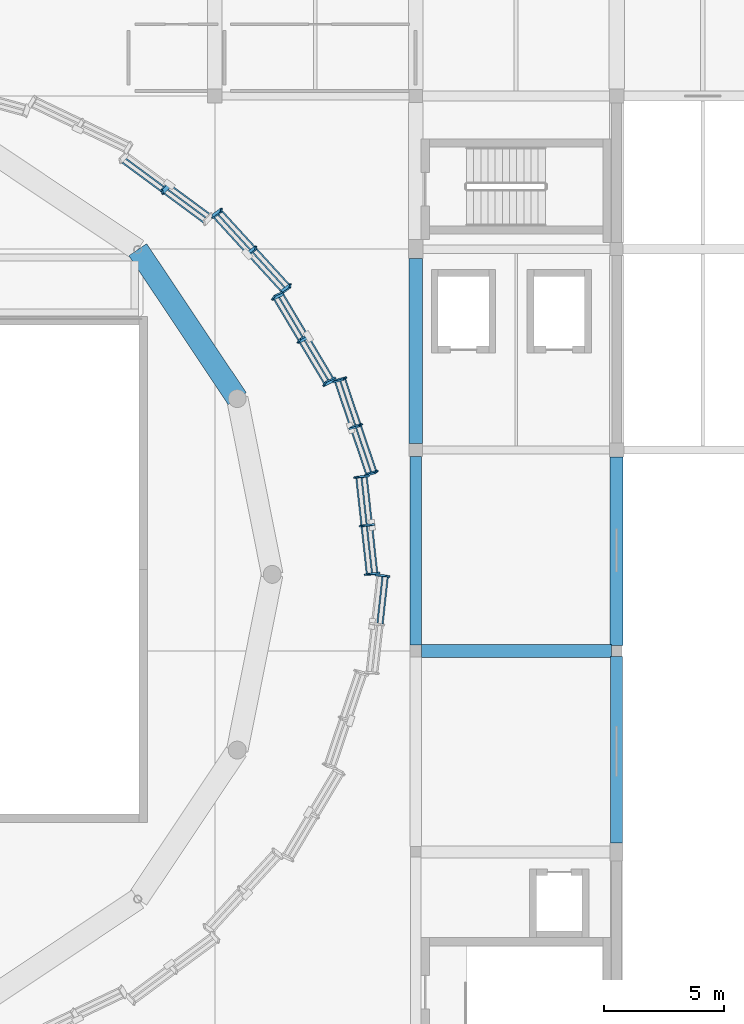
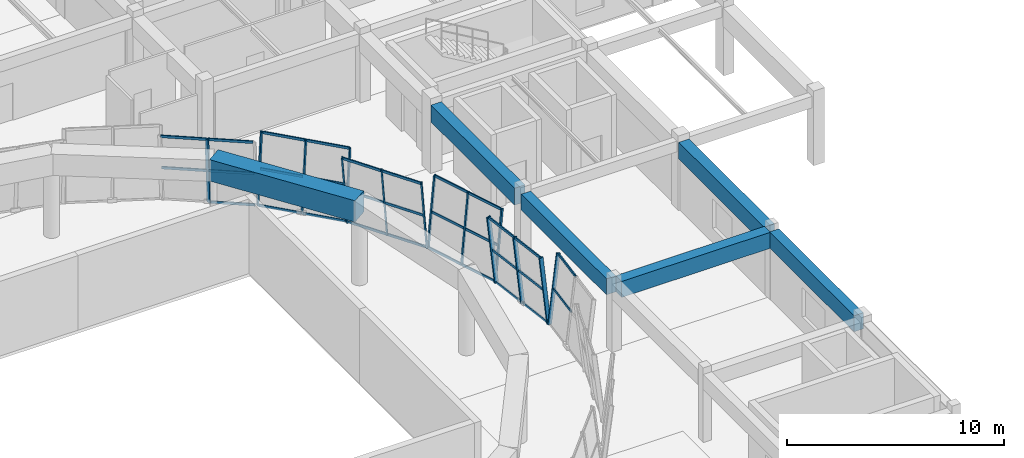
# One storey, part 20 of 40: 45 members, 6 beams, 6 elements without a shape of their own.
"""IFC4 building model written with IfcOpenShell, lengths in metres."""

from ifc_helpers import new_model, si_unit, direction, frame, origin, origin_2d, place, context, subcontext, project, spatial, rectangle, hollow_rectangle, extrude, material, material_profile, profile_set, type_object, element, aggregate, save


model = new_model("IFC4")

# Units and contexts
model_context = context("Model", 3, precision=1e-05, world=origin(), true_north=direction((0.0, 1.0)))
body_context = subcontext(model_context, "Body", "Model", "MODEL_VIEW")
ifc_project = project(units=[si_unit("LENGTHUNIT", "METRE"), si_unit("AREAUNIT", "SQUARE_METRE"), si_unit("VOLUMEUNIT", "CUBIC_METRE"), si_unit("PLANEANGLEUNIT", "RADIAN"), si_unit("MASSUNIT", "GRAM", prefix="KILO")], contexts=[model_context])

# Site, building, storey
site_placement = place(None, origin())
site = spatial("IfcSite", under=ifc_project, at=site_placement, CompositionType="ELEMENT")
building_placement = place(site_placement, origin())
building = spatial("IfcBuilding", under=site, at=building_placement, Name="Korsvaeld Concert Hall", CompositionType="ELEMENT")
storey_placement = place(building_placement, frame((0.0, 0.0, 13.199951171875)))
storey = spatial("IfcBuildingStorey", under=building, at=storey_placement, Name="L03", CompositionType="ELEMENT", Elevation=13.199951171875)

# Beams
ifc_material_1 = material(Name="Concrete C40/50", Category="concrete")
ifc_material_profile_1 = material_profile(ifc_material_1, rectangle(XDim=0.5, YDim=0.89990234375, at=origin_2d()), Name="RC 500x900")
ifc_profile_set_1 = profile_set([ifc_material_profile_1], Name="Concrete C40/50")
beam_type_1 = type_object("IfcBeamType", Name="BM-RC-500x900", PredefinedType="T_BEAM", material=ifc_profile_set_1)
beam_1_placement = place(storey_placement, frame((109.199951171875, 60.25, 3.39013671875), z_axis=(0.0, 1.0, 0.0), x_axis=(-1.0, 0.0, 0.0)))
element("IfcBeam", 1, at=beam_1_placement, inside=storey, type_object=beam_type_1, Name="Primary girder 15/J-K L03", PredefinedType="T_BEAM", context=body_context, shape_type="SweptSolid", body=[
    extrude(rectangle(XDim=0.5, YDim=0.89990234375, at=origin_2d()), origin(), (0.0, 0.0, 1.0), 7.875),
])
beam_2_placement = place(storey_placement, frame((117.60009765625, 51.97509765625, 3.39013671875), z_axis=(0.0, 1.0, 0.0), x_axis=(-1.0, 0.0, 0.0)))
element("IfcBeam", 2, at=beam_2_placement, inside=storey, type_object=beam_type_1, Name="Primary girder 16/H-J L03", PredefinedType="T_BEAM", context=body_context, shape_type="SweptSolid", body=[
    extrude(rectangle(XDim=0.5, YDim=0.89990234375, at=origin_2d()), origin(), (0.0, 0.0, 1.0), 7.7998046875),
])
ifc_material_profile_2 = material_profile(ifc_material_1, rectangle(XDim=0.550048828125, YDim=0.89990234375, at=origin_2d()), Name="RC 550x900")
ifc_profile_set_2 = profile_set([ifc_material_profile_2], Name="Concrete C40/50")
beam_type_2 = type_object("IfcBeamType", Name="BM-RC-550x900", PredefinedType="T_BEAM", material=ifc_profile_set_2)
beam_3_placement = place(storey_placement, frame((109.449951171875, 60.0, 3.39013671875), z_axis=(1.0, 0.0, 0.0), x_axis=(0.0, 1.0, 0.0)))
element("IfcBeam", 3, at=beam_3_placement, inside=storey, type_object=beam_type_2, Name="Primary girder 15-16/J L03", PredefinedType="T_BEAM", context=body_context, shape_type="SweptSolid", body=[
    extrude(rectangle(XDim=0.550048828125, YDim=0.89990234375, at=origin_2d()), origin(), (0.0, 0.0, 1.0), 7.925048828125),
])
ifc_material_profile_3 = material_profile(ifc_material_1, rectangle(XDim=0.550048828125, YDim=0.949951171875, at=origin_2d()), Name="RC 550x950")
ifc_profile_set_3 = profile_set([ifc_material_profile_3], Name="Concrete C40/50")
beam_type_3 = type_object("IfcBeamType", Name="BM-RC-550x950", PredefinedType="T_BEAM", material=ifc_profile_set_3)
beam_4_placement = place(storey_placement, frame((109.199951171875, 68.675048828125, 3.364990234375), z_axis=(0.0, 1.0, 0.0), x_axis=(-1.0, 0.0, 0.0)))
element("IfcBeam", 4, at=beam_4_placement, inside=storey, type_object=beam_type_3, Name="Primary girder 15/K-L L03", PredefinedType="T_BEAM", context=body_context, shape_type="SweptSolid", body=[
    extrude(rectangle(XDim=0.550048828125, YDim=0.949951171875, at=origin_2d()), origin(), (0.0, 0.0, 1.0), 7.724853515625),
])
beam_5_placement = place(storey_placement, frame((117.60009765625, 60.22509765625, 3.364990234375), z_axis=(0.0, 1.0, 0.0), x_axis=(-1.0, 0.0, 0.0)))
element("IfcBeam", 5, at=beam_5_placement, inside=storey, type_object=beam_type_3, Name="Primary girder 16/J-K L03", PredefinedType="T_BEAM", context=body_context, shape_type="SweptSolid", body=[
    extrude(rectangle(XDim=0.550048828125, YDim=0.949951171875, at=origin_2d()), origin(), (0.0, 0.0, 1.0), 7.875),
])
ifc_material_profile_4 = material_profile(ifc_material_1, rectangle(XDim=0.89990234375, YDim=1.199951171875, at=origin_2d()), Name="RC 900x1200")
ifc_profile_set_4 = profile_set([ifc_material_profile_4], Name="Concrete C40/50")
beam_type_4 = type_object("IfcBeamType", Name="BM-RING-RC900x1200", PredefinedType="USERDEFINED", material=ifc_profile_set_4)
beam_6_placement = place(storey_placement, frame((101.738525390625, 70.547607421875, 4.199951171875), z_axis=(-0.555572265942, 0.831468253944, 0.0), x_axis=(-0.831468253944, -0.555572265942, 0.0)))
element("IfcBeam", 6, at=beam_6_placement, inside=storey, type_object=beam_type_4, Name="Main Hall C40/50 drum ring beam segment 02", ObjectType="RING BEAM", PredefinedType="USERDEFINED", context=body_context, shape_type="SweptSolid", body=[
    extrude(rectangle(XDim=0.89990234375, YDim=1.199951171875, at=origin_2d()), origin(), (0.0, 0.0, 1.0), 7.491455078125),
])

# Curtain wall, members
ifc_material_2 = material(Name="Anodised bronze and ceramic-fritted safety glass", Category="glass")
curtain_wall_type_1 = type_object("IfcCurtainWallType", Name="CW-TYPE-02", PredefinedType="USERDEFINED", material=ifc_material_2)
curtain_wall_1_placement = place(storey_placement, origin())
curtain_wall_1 = element("IfcCurtainWall", 7, at=curtain_wall_1_placement, inside=storey, type_object=curtain_wall_type_1, Name="Crystal curtain-wall facet L03 F02", ObjectType="CURTAIN WALL", PredefinedType="USERDEFINED")
ifc_material_3 = material(Name="Anodised architectural bronze aluminium", Category="aluminium")
ifc_material_profile_5 = material_profile(ifc_material_3, hollow_rectangle(XDim=0.074951171875, YDim=0.179931640625, WallThickness=0.0048828125, at=origin_2d()), Name="CWM 180x75x5")
ifc_profile_set_5 = profile_set([ifc_material_profile_5], Name="Anodised architectural bronze aluminium")
member_type_1 = type_object("IfcMemberType", Name="CWM-BRONZE-180x75", PredefinedType="MULLION", material=ifc_profile_set_5)
member_1_placement = place(storey_placement, frame((107.134521484375, 67.371337890625, 0.0), z_axis=(0.109216080383, 0.029757787214, 0.993572504594), x_axis=(0.555751717741, -0.83055918565, -0.036214187285)))
member_1 = element("IfcMember", 8, at=member_1_placement, type_object=member_type_1, Name="CW-CRYS-L03-F02 crystal mullion 1", PredefinedType="MULLION", context=body_context, shape_type="SweptSolid", body=[
    extrude(hollow_rectangle(XDim=0.074951171875, YDim=0.179931640625, WallThickness=0.0048828125, at=origin_2d()), origin(), (0.0, 0.0, 1.0), 3.9052734375),
])
member_2_placement = place(storey_placement, frame((106.47509765625, 69.324462890625, 0.0), z_axis=(0.109216080383, 0.029757787214, 0.993572504594), x_axis=(0.555751717741, -0.83055918565, -0.036214187285)))
member_2 = element("IfcMember", 9, at=member_2_placement, type_object=member_type_1, Name="CW-CRYS-L03-F02 crystal mullion 2", PredefinedType="MULLION", context=body_context, shape_type="SweptSolid", body=[
    extrude(hollow_rectangle(XDim=0.074951171875, YDim=0.179931640625, WallThickness=0.0048828125, at=origin_2d()), origin(), (0.0, 0.0, 1.0), 3.9052734375),
])
member_3_placement = place(storey_placement, frame((105.815673828125, 71.27734375, 0.0), z_axis=(0.109216080383, 0.029757787214, 0.993572504594), x_axis=(0.555751717741, -0.83055918565, -0.036214187285)))
member_3 = element("IfcMember", 10, at=member_3_placement, type_object=member_type_1, Name="CW-CRYS-L03-F02 crystal mullion 3", PredefinedType="MULLION", context=body_context, shape_type="SweptSolid", body=[
    extrude(hollow_rectangle(XDim=0.074951171875, YDim=0.179931640625, WallThickness=0.0048828125, at=origin_2d()), origin(), (0.0, 0.0, 1.0), 3.9052734375),
])

curtain_wall_type_2 = type_object("IfcCurtainWallType", Name="CW-TYPE-04", PredefinedType="USERDEFINED", material=ifc_material_2)
curtain_wall_2_placement = place(storey_placement, origin())
curtain_wall_2 = element("IfcCurtainWall", 11, at=curtain_wall_2_placement, inside=storey, type_object=curtain_wall_type_2, Name="Crystal curtain-wall facet L03 F04", ObjectType="CURTAIN WALL", PredefinedType="USERDEFINED")
member_4_placement = place(storey_placement, frame((103.597412109375, 75.005859375, 0.0), z_axis=(0.091086738346, 0.067142866838, 0.993576892611), x_axis=(0.97750040667, -0.196640579934, -0.076324552298)))
member_4 = element("IfcMember", 12, at=member_4_placement, type_object=member_type_1, Name="CW-CRYS-L03-F04 crystal mullion 1", PredefinedType="MULLION", context=body_context, shape_type="SweptSolid", body=[
    extrude(hollow_rectangle(XDim=0.074951171875, YDim=0.179931640625, WallThickness=0.0048828125, at=origin_2d()), origin(), (0.0, 0.0, 1.0), 3.9052734375),
])
member_5_placement = place(storey_placement, frame((102.1552734375, 76.58447265625, 0.0), z_axis=(0.091086738346, 0.067142866838, 0.993576892611), x_axis=(0.97750040667, -0.196640579934, -0.076324552298)))
member_5 = element("IfcMember", 13, at=member_5_placement, type_object=member_type_1, Name="CW-CRYS-L03-F04 crystal mullion 2", PredefinedType="MULLION", context=body_context, shape_type="SweptSolid", body=[
    extrude(hollow_rectangle(XDim=0.074951171875, YDim=0.179931640625, WallThickness=0.0048828125, at=origin_2d()), origin(), (0.0, 0.0, 1.0), 3.9052734375),
])
member_6_placement = place(storey_placement, frame((100.712890625, 78.1630859375, 0.0), z_axis=(0.091148735765, 0.06714248437, 0.993571232857), x_axis=(0.977432849257, -0.196963121799, -0.076358063387)))
member_6 = element("IfcMember", 14, at=member_6_placement, type_object=member_type_1, Name="CW-CRYS-L03-F04 crystal mullion 3", PredefinedType="MULLION", context=body_context, shape_type="SweptSolid", body=[
    extrude(hollow_rectangle(XDim=0.074951171875, YDim=0.179931640625, WallThickness=0.0048828125, at=origin_2d()), origin(), (0.0, 0.0, 1.0), 3.9052734375),
])

# Curtain wall, member
curtain_wall_type_3 = type_object("IfcCurtainWallType", Name="CW-TYPE-08", PredefinedType="USERDEFINED", material=ifc_material_2)
curtain_wall_3_placement = place(storey_placement, origin())
curtain_wall_3 = element("IfcCurtainWall", 15, at=curtain_wall_3_placement, inside=storey, type_object=curtain_wall_type_3, Name="Crystal curtain-wall facet L03 F32", ObjectType="CURTAIN WALL", PredefinedType="USERDEFINED")
member_7_placement = place(storey_placement, frame((107.595947265625, 63.162841796875, 0.0), z_axis=(0.112779197512, -0.01000258958, 0.993569726195), x_axis=(-0.195690716426, -0.980588011718, 0.012340777107)))
member_7 = element("IfcMember", 16, at=member_7_placement, type_object=member_type_1, Name="CW-CRYS-L03-F32 crystal mullion 3", PredefinedType="MULLION", context=body_context, shape_type="SweptSolid", body=[
    extrude(hollow_rectangle(XDim=0.074951171875, YDim=0.179931640625, WallThickness=0.0048828125, at=origin_2d()), origin(), (0.0, 0.0, 1.0), 3.9052734375),
])

# Curtain wall, members
curtain_wall_type_4 = type_object("IfcCurtainWallType", Name="CW-TYPE-01", PredefinedType="USERDEFINED", material=ifc_material_2)
curtain_wall_4_placement = place(storey_placement, origin())
curtain_wall_4 = element("IfcCurtainWall", 17, at=curtain_wall_4_placement, inside=storey, type_object=curtain_wall_type_4, Name="Crystal curtain-wall facet L03 F01", ObjectType="CURTAIN WALL", PredefinedType="USERDEFINED")
ifc_material_profile_6 = material_profile(ifc_material_3, hollow_rectangle(XDim=0.074951171875, YDim=0.219970703125, WallThickness=0.006103515625, at=origin_2d()), Name="CWM 220x75x6")
ifc_profile_set_6 = profile_set([ifc_material_profile_6], Name="Anodised architectural bronze aluminium")
member_type_2 = type_object("IfcMemberType", Name="CWM-BRONZE-220x75", PredefinedType="MULLION", material=ifc_profile_set_6)
member_8_placement = place(storey_placement, frame((107.595947265625, 63.2373046875, 0.0), z_axis=(-0.112779197512, -0.01000258958, 0.993569726195), x_axis=(-0.195690716426, 0.980588011718, -0.012340777107)))
member_8 = element("IfcMember", 18, at=member_8_placement, type_object=member_type_2, Name="CW-CRYS-L03-F01 crystal mullion 1", PredefinedType="MULLION", context=body_context, shape_type="SweptSolid", body=[
    extrude(hollow_rectangle(XDim=0.074951171875, YDim=0.219970703125, WallThickness=0.006103515625, at=origin_2d()), origin(), (0.0, 0.0, 1.0), 3.9052734375),
])
member_9_placement = place(storey_placement, frame((107.373291015625, 65.26806640625, 0.0), z_axis=(-0.112779197512, -0.01000258958, 0.993569726195), x_axis=(-0.195690716426, 0.980588011718, -0.012340777107)))
member_9 = element("IfcMember", 19, at=member_9_placement, type_object=member_type_2, Name="CW-CRYS-L03-F01 crystal mullion 2", PredefinedType="MULLION", context=body_context, shape_type="SweptSolid", body=[
    extrude(hollow_rectangle(XDim=0.074951171875, YDim=0.219970703125, WallThickness=0.006103515625, at=origin_2d()), origin(), (0.0, 0.0, 1.0), 3.9052734375),
])
member_10_placement = place(storey_placement, frame((107.150634765625, 67.298583984375, 0.0), z_axis=(-0.112779267815, -0.009940079591, 0.993570345556), x_axis=(-0.19515140707, 0.980695492067, -0.01234018468)))
member_10 = element("IfcMember", 20, at=member_10_placement, type_object=member_type_2, Name="CW-CRYS-L03-F01 crystal mullion 3", PredefinedType="MULLION", context=body_context, shape_type="SweptSolid", body=[
    extrude(hollow_rectangle(XDim=0.074951171875, YDim=0.219970703125, WallThickness=0.006103515625, at=origin_2d()), origin(), (0.0, 0.0, 1.0), 3.9052734375),
])

curtain_wall_type_5 = type_object("IfcCurtainWallType", Name="CW-TYPE-03", PredefinedType="USERDEFINED", material=ifc_material_2)
curtain_wall_5_placement = place(storey_placement, origin())
curtain_wall_5 = element("IfcCurtainWall", 21, at=curtain_wall_5_placement, inside=storey, type_object=curtain_wall_type_5, Name="Crystal curtain-wall facet L03 F03", ObjectType="CURTAIN WALL", PredefinedType="USERDEFINED")
member_11_placement = place(storey_placement, frame((105.784423828125, 71.34521484375, 0.0), z_axis=(-0.102026799703, -0.049012874367, 0.993573485097), x_axis=(-0.830085935221, 0.554623592574, -0.057879277021)))
member_11 = element("IfcMember", 22, at=member_11_placement, type_object=member_type_2, Name="CW-CRYS-L03-F03 crystal mullion 1", PredefinedType="MULLION", context=body_context, shape_type="SweptSolid", body=[
    extrude(hollow_rectangle(XDim=0.074951171875, YDim=0.219970703125, WallThickness=0.006103515625, at=origin_2d()), origin(), (0.0, 0.0, 1.0), 3.9052734375),
])
member_12_placement = place(storey_placement, frame((104.713134765625, 73.1455078125, 0.0), z_axis=(-0.102026799703, -0.049012874367, 0.993573485097), x_axis=(-0.830085935221, 0.554623592574, -0.057879277021)))
member_12 = element("IfcMember", 23, at=member_12_placement, type_object=member_type_2, Name="CW-CRYS-L03-F03 crystal mullion 2", PredefinedType="MULLION", context=body_context, shape_type="SweptSolid", body=[
    extrude(hollow_rectangle(XDim=0.074951171875, YDim=0.219970703125, WallThickness=0.006103515625, at=origin_2d()), origin(), (0.0, 0.0, 1.0), 3.9052734375),
])
member_13_placement = place(storey_placement, frame((103.641845703125, 74.94580078125, 0.0), z_axis=(-0.102027112126, -0.04895050784, 0.993576527588), x_axis=(-0.829811048286, 0.55503620991, -0.057865618728)))
member_13 = element("IfcMember", 24, at=member_13_placement, type_object=member_type_2, Name="CW-CRYS-L03-F03 crystal mullion 3", PredefinedType="MULLION", context=body_context, shape_type="SweptSolid", body=[
    extrude(hollow_rectangle(XDim=0.074951171875, YDim=0.219970703125, WallThickness=0.006103515625, at=origin_2d()), origin(), (0.0, 0.0, 1.0), 3.9052734375),
])

# Curtain wall, member
curtain_wall_type_6 = type_object("IfcCurtainWallType", Name="CW-TYPE-05", PredefinedType="USERDEFINED", material=ifc_material_2)
curtain_wall_6_placement = place(storey_placement, origin())
curtain_wall_6 = element("IfcCurtainWall", 25, at=curtain_wall_6_placement, inside=storey, type_object=curtain_wall_type_6, Name="Crystal curtain-wall facet L03 F05", ObjectType="CURTAIN WALL", PredefinedType="USERDEFINED")
member_14_placement = place(storey_placement, frame((98.899658203125, 79.509033203125, 0.0), z_axis=(-0.076394652963, -0.083584002465, 0.993568101104), x_axis=(-0.977549926724, -0.189970662094, -0.09114432679)))
member_14 = element("IfcMember", 26, at=member_14_placement, type_object=member_type_2, Name="CW-CRYS-L03-F05 crystal mullion 2", PredefinedType="MULLION", context=body_context, shape_type="SweptSolid", body=[
    extrude(hollow_rectangle(XDim=0.074951171875, YDim=0.219970703125, WallThickness=0.006103515625, at=origin_2d()), origin(), (0.0, 0.0, 1.0), 3.9052734375),
])

# Member
ifc_material_profile_7 = material_profile(ifc_material_3, hollow_rectangle(XDim=0.06005859375, YDim=0.139892578125, WallThickness=0.00390625, at=origin_2d()), Name="CWT 140x60x4")
ifc_profile_set_7 = profile_set([ifc_material_profile_7], Name="Anodised architectural bronze aluminium")
member_type_3 = type_object("IfcMemberType", Name="CWT-BRONZE-140x60", PredefinedType="USERDEFINED", material=ifc_profile_set_7)
member_15_placement = place(storey_placement, frame((107.58837890625, 63.274169921875, 0.030029296875), z_axis=(-0.108920048755, 0.994050513294, 0.0), x_axis=(-0.994050513294, -0.108920048755, 0.0)))
member_15 = element("IfcMember", 27, at=member_15_placement, type_object=member_type_3, Name="CW-CRYS-L03-F01 crystal transom 1.1", ObjectType="TRANSOM", PredefinedType="USERDEFINED", context=body_context, shape_type="SweptSolid", body=[
    extrude(hollow_rectangle(XDim=0.06005859375, YDim=0.139892578125, WallThickness=0.00390625, at=origin_2d()), origin(), (0.0, 0.0, 1.0), 1.968017578125),
])

member_16_placement = place(storey_placement, frame((107.37158203125, 63.255126953125, 1.93994140625), z_axis=(-0.108933482058, 0.994049041289, 0.0), x_axis=(-0.994049041289, -0.108933482058, 0.0)))
member_16 = element("IfcMember", 28, at=member_16_placement, type_object=member_type_3, Name="CW-CRYS-L03-F01 crystal transom 1.2", ObjectType="TRANSOM", PredefinedType="USERDEFINED", context=body_context, shape_type="SweptSolid", body=[
    extrude(hollow_rectangle(XDim=0.06005859375, YDim=0.139892578125, WallThickness=0.00390625, at=origin_2d()), origin(), (0.0, 0.0, 1.0), 1.9677734375),
])

member_17_placement = place(storey_placement, frame((107.15478515625, 63.23583984375, 3.85009765625), z_axis=(-0.108933482058, 0.994049041289, 0.0), x_axis=(-0.994049041289, -0.108933482058, 0.0)))
member_17 = element("IfcMember", 29, at=member_17_placement, type_object=member_type_3, Name="CW-CRYS-L03-F01 crystal transom 1.3", ObjectType="TRANSOM", PredefinedType="USERDEFINED", context=body_context, shape_type="SweptSolid", body=[
    extrude(hollow_rectangle(XDim=0.06005859375, YDim=0.139892578125, WallThickness=0.00390625, at=origin_2d()), origin(), (0.0, 0.0, 1.0), 1.9677734375),
])

member_18_placement = place(storey_placement, frame((107.36572265625, 65.304931640625, 0.030029296875), z_axis=(-0.108933482058, 0.994049041289, 0.0), x_axis=(-0.994049041289, -0.108933482058, 0.0)))
member_18 = element("IfcMember", 30, at=member_18_placement, type_object=member_type_3, Name="CW-CRYS-L03-F01 crystal transom 2.1", ObjectType="TRANSOM", PredefinedType="USERDEFINED", context=body_context, shape_type="SweptSolid", body=[
    extrude(hollow_rectangle(XDim=0.06005859375, YDim=0.139892578125, WallThickness=0.00390625, at=origin_2d()), origin(), (0.0, 0.0, 1.0), 1.9677734375),
])

member_19_placement = place(storey_placement, frame((107.14892578125, 65.28564453125, 1.93994140625), z_axis=(-0.108920048755, 0.994050513294, 0.0), x_axis=(-0.994050513294, -0.108920048755, 0.0)))
member_19 = element("IfcMember", 31, at=member_19_placement, type_object=member_type_3, Name="CW-CRYS-L03-F01 crystal transom 2.2", ObjectType="TRANSOM", PredefinedType="USERDEFINED", context=body_context, shape_type="SweptSolid", body=[
    extrude(hollow_rectangle(XDim=0.06005859375, YDim=0.139892578125, WallThickness=0.00390625, at=origin_2d()), origin(), (0.0, 0.0, 1.0), 1.968017578125),
])

member_20_placement = place(storey_placement, frame((106.93212890625, 65.2666015625, 3.85009765625), z_axis=(-0.108933482058, 0.994049041289, 0.0), x_axis=(-0.994049041289, -0.108933482058, 0.0)))
member_20 = element("IfcMember", 32, at=member_20_placement, type_object=member_type_3, Name="CW-CRYS-L03-F01 crystal transom 2.3", ObjectType="TRANSOM", PredefinedType="USERDEFINED", context=body_context, shape_type="SweptSolid", body=[
    extrude(hollow_rectangle(XDim=0.06005859375, YDim=0.139892578125, WallThickness=0.00390625, at=origin_2d()), origin(), (0.0, 0.0, 1.0), 1.9677734375),
])

aggregate(curtain_wall_4, [member_8, member_9, member_10, member_15, member_16, member_17, member_18, member_19, member_20])

member_21_placement = place(storey_placement, frame((107.125732421875, 67.407958984375, 0.030029296875), z_axis=(-0.319949676143, 0.947434538497, 0.0), x_axis=(-0.947434538497, -0.319949676143, 0.0)))
member_21 = element("IfcMember", 33, at=member_21_placement, type_object=member_type_3, Name="CW-CRYS-L03-F02 crystal transom 1.1", ObjectType="TRANSOM", PredefinedType="USERDEFINED", context=body_context, shape_type="SweptSolid", body=[
    extrude(hollow_rectangle(XDim=0.06005859375, YDim=0.139892578125, WallThickness=0.00390625, at=origin_2d()), origin(), (0.0, 0.0, 1.0), 1.986328125),
])

member_22_placement = place(storey_placement, frame((107.335693359375, 67.465087890625, 1.93994140625), z_axis=(-0.319949676143, 0.947434538497, 0.0), x_axis=(-0.947434538497, -0.319949676143, 0.0)))
member_22 = element("IfcMember", 34, at=member_22_placement, type_object=member_type_3, Name="CW-CRYS-L03-F02 crystal transom 1.2", ObjectType="TRANSOM", PredefinedType="USERDEFINED", context=body_context, shape_type="SweptSolid", body=[
    extrude(hollow_rectangle(XDim=0.06005859375, YDim=0.139892578125, WallThickness=0.00390625, at=origin_2d()), origin(), (0.0, 0.0, 1.0), 1.986328125),
])

member_23_placement = place(storey_placement, frame((107.545654296875, 67.522216796875, 3.85009765625), z_axis=(-0.319912420616, 0.947447118912, 0.0), x_axis=(-0.947447118912, -0.319912420616, 0.0)))
member_23 = element("IfcMember", 35, at=member_23_placement, type_object=member_type_3, Name="CW-CRYS-L03-F02 crystal transom 1.3", ObjectType="TRANSOM", PredefinedType="USERDEFINED", context=body_context, shape_type="SweptSolid", body=[
    extrude(hollow_rectangle(XDim=0.06005859375, YDim=0.139892578125, WallThickness=0.00390625, at=origin_2d()), origin(), (0.0, 0.0, 1.0), 1.986572265625),
])

member_24_placement = place(storey_placement, frame((106.46630859375, 69.36083984375, 0.030029296875), z_axis=(-0.319949676143, 0.947434538497, 0.0), x_axis=(-0.947434538497, -0.319949676143, 0.0)))
member_24 = element("IfcMember", 36, at=member_24_placement, type_object=member_type_3, Name="CW-CRYS-L03-F02 crystal transom 2.1", ObjectType="TRANSOM", PredefinedType="USERDEFINED", context=body_context, shape_type="SweptSolid", body=[
    extrude(hollow_rectangle(XDim=0.06005859375, YDim=0.139892578125, WallThickness=0.00390625, at=origin_2d()), origin(), (0.0, 0.0, 1.0), 1.986328125),
])

member_25_placement = place(storey_placement, frame((106.67626953125, 69.41796875, 1.93994140625), z_axis=(-0.319912420616, 0.947447118912, 0.0), x_axis=(-0.947447118912, -0.319912420616, 0.0)))
member_25 = element("IfcMember", 37, at=member_25_placement, type_object=member_type_3, Name="CW-CRYS-L03-F02 crystal transom 2.2", ObjectType="TRANSOM", PredefinedType="USERDEFINED", context=body_context, shape_type="SweptSolid", body=[
    extrude(hollow_rectangle(XDim=0.06005859375, YDim=0.139892578125, WallThickness=0.00390625, at=origin_2d()), origin(), (0.0, 0.0, 1.0), 1.986572265625),
])

member_26_placement = place(storey_placement, frame((106.88623046875, 69.475341796875, 3.85009765625), z_axis=(-0.319949676143, 0.947434538497, 0.0), x_axis=(-0.947434538497, -0.319949676143, 0.0)))
member_26 = element("IfcMember", 38, at=member_26_placement, type_object=member_type_3, Name="CW-CRYS-L03-F02 crystal transom 2.3", ObjectType="TRANSOM", PredefinedType="USERDEFINED", context=body_context, shape_type="SweptSolid", body=[
    extrude(hollow_rectangle(XDim=0.06005859375, YDim=0.139892578125, WallThickness=0.00390625, at=origin_2d()), origin(), (0.0, 0.0, 1.0), 1.986328125),
])

aggregate(curtain_wall_1, [member_1, member_2, member_3, member_21, member_22, member_23, member_24, member_25, member_26])

member_27_placement = place(storey_placement, frame((105.76220703125, 71.3759765625, 0.030029296875), z_axis=(-0.511381861684, 0.859353589357, 0.0), x_axis=(-0.859353589357, -0.511381861684, 0.0)))
member_27 = element("IfcMember", 39, at=member_27_placement, type_object=member_type_3, Name="CW-CRYS-L03-F03 crystal transom 1.1", ObjectType="TRANSOM", PredefinedType="USERDEFINED", context=body_context, shape_type="SweptSolid", body=[
    extrude(hollow_rectangle(XDim=0.06005859375, YDim=0.139892578125, WallThickness=0.00390625, at=origin_2d()), origin(), (0.0, 0.0, 1.0), 2.02001953125),
])

member_28_placement = place(storey_placement, frame((105.56591796875, 71.28173828125, 1.93994140625), z_axis=(-0.511381861684, 0.859353589357, 0.0), x_axis=(-0.859353589357, -0.511381861684, 0.0)))
member_28 = element("IfcMember", 40, at=member_28_placement, type_object=member_type_3, Name="CW-CRYS-L03-F03 crystal transom 1.2", ObjectType="TRANSOM", PredefinedType="USERDEFINED", context=body_context, shape_type="SweptSolid", body=[
    extrude(hollow_rectangle(XDim=0.06005859375, YDim=0.139892578125, WallThickness=0.00390625, at=origin_2d()), origin(), (0.0, 0.0, 1.0), 2.02001953125),
])

member_29_placement = place(storey_placement, frame((105.369873046875, 71.1875, 3.85009765625), z_axis=(-0.511381861684, 0.859353589357, 0.0), x_axis=(-0.859353589357, -0.511381861684, 0.0)))
member_29 = element("IfcMember", 41, at=member_29_placement, type_object=member_type_3, Name="CW-CRYS-L03-F03 crystal transom 1.3", ObjectType="TRANSOM", PredefinedType="USERDEFINED", context=body_context, shape_type="SweptSolid", body=[
    extrude(hollow_rectangle(XDim=0.06005859375, YDim=0.139892578125, WallThickness=0.00390625, at=origin_2d()), origin(), (0.0, 0.0, 1.0), 2.02001953125),
])

member_30_placement = place(storey_placement, frame((104.69091796875, 73.17626953125, 0.030029296875), z_axis=(-0.511381861684, 0.859353589357, 0.0), x_axis=(-0.859353589357, -0.511381861684, 0.0)))
member_30 = element("IfcMember", 42, at=member_30_placement, type_object=member_type_3, Name="CW-CRYS-L03-F03 crystal transom 2.1", ObjectType="TRANSOM", PredefinedType="USERDEFINED", context=body_context, shape_type="SweptSolid", body=[
    extrude(hollow_rectangle(XDim=0.06005859375, YDim=0.139892578125, WallThickness=0.00390625, at=origin_2d()), origin(), (0.0, 0.0, 1.0), 2.02001953125),
])

member_31_placement = place(storey_placement, frame((104.49462890625, 73.08203125, 1.93994140625), z_axis=(-0.511292595627, 0.859406703288, 0.0), x_axis=(-0.859406703288, -0.511292595627, 0.0)))
member_31 = element("IfcMember", 43, at=member_31_placement, type_object=member_type_3, Name="CW-CRYS-L03-F03 crystal transom 2.2", ObjectType="TRANSOM", PredefinedType="USERDEFINED", context=body_context, shape_type="SweptSolid", body=[
    extrude(hollow_rectangle(XDim=0.06005859375, YDim=0.139892578125, WallThickness=0.00390625, at=origin_2d()), origin(), (0.0, 0.0, 1.0), 2.019775390625),
])

member_32_placement = place(storey_placement, frame((104.298583984375, 72.98779296875, 3.85009765625), z_axis=(-0.511328750939, 0.859385192136, 0.0), x_axis=(-0.859385192136, -0.511328750939, 0.0)))
member_32 = element("IfcMember", 44, at=member_32_placement, type_object=member_type_3, Name="CW-CRYS-L03-F03 crystal transom 2.3", ObjectType="TRANSOM", PredefinedType="USERDEFINED", context=body_context, shape_type="SweptSolid", body=[
    extrude(hollow_rectangle(XDim=0.06005859375, YDim=0.139892578125, WallThickness=0.00390625, at=origin_2d()), origin(), (0.0, 0.0, 1.0), 2.020263671875),
])

aggregate(curtain_wall_5, [member_11, member_12, member_13, member_27, member_28, member_29, member_30, member_31, member_32])

member_33_placement = place(storey_placement, frame((103.574951171875, 75.035400390625, 0.030029296875), z_axis=(-0.674437681465, 0.738331777604, 0.0), x_axis=(-0.738331777604, -0.674437681465, 0.0)))
member_33 = element("IfcMember", 45, at=member_33_placement, type_object=member_type_3, Name="CW-CRYS-L03-F04 crystal transom 1.1", ObjectType="TRANSOM", PredefinedType="USERDEFINED", context=body_context, shape_type="SweptSolid", body=[
    extrude(hollow_rectangle(XDim=0.06005859375, YDim=0.139892578125, WallThickness=0.00390625, at=origin_2d()), origin(), (0.0, 0.0, 1.0), 2.063232421875),
])

member_34_placement = place(storey_placement, frame((103.75, 75.16455078125, 1.93994140625), z_axis=(-0.674437681465, 0.738331777604, 0.0), x_axis=(-0.738331777604, -0.674437681465, 0.0)))
member_34 = element("IfcMember", 46, at=member_34_placement, type_object=member_type_3, Name="CW-CRYS-L03-F04 crystal transom 1.2", ObjectType="TRANSOM", PredefinedType="USERDEFINED", context=body_context, shape_type="SweptSolid", body=[
    extrude(hollow_rectangle(XDim=0.06005859375, YDim=0.139892578125, WallThickness=0.00390625, at=origin_2d()), origin(), (0.0, 0.0, 1.0), 2.063232421875),
])

member_35_placement = place(storey_placement, frame((103.92529296875, 75.293701171875, 3.85009765625), z_axis=(-0.674496604142, 0.738277949692, 0.0), x_axis=(-0.738277949692, -0.674496604142, 0.0)))
member_35 = element("IfcMember", 47, at=member_35_placement, type_object=member_type_3, Name="CW-CRYS-L03-F04 crystal transom 1.3", ObjectType="TRANSOM", PredefinedType="USERDEFINED", context=body_context, shape_type="SweptSolid", body=[
    extrude(hollow_rectangle(XDim=0.06005859375, YDim=0.139892578125, WallThickness=0.00390625, at=origin_2d()), origin(), (0.0, 0.0, 1.0), 2.063232421875),
])

member_36_placement = place(storey_placement, frame((102.132568359375, 76.614013671875, 0.030029296875), z_axis=(-0.674437681465, 0.738331777604, 0.0), x_axis=(-0.738331777604, -0.674437681465, 0.0)))
member_36 = element("IfcMember", 48, at=member_36_placement, type_object=member_type_3, Name="CW-CRYS-L03-F04 crystal transom 2.1", ObjectType="TRANSOM", PredefinedType="USERDEFINED", context=body_context, shape_type="SweptSolid", body=[
    extrude(hollow_rectangle(XDim=0.06005859375, YDim=0.139892578125, WallThickness=0.00390625, at=origin_2d()), origin(), (0.0, 0.0, 1.0), 2.063232421875),
])

member_37_placement = place(storey_placement, frame((102.307861328125, 76.7431640625, 1.93994140625), z_axis=(-0.674437681465, 0.738331777604, 0.0), x_axis=(-0.738331777604, -0.674437681465, 0.0)))
member_37 = element("IfcMember", 49, at=member_37_placement, type_object=member_type_3, Name="CW-CRYS-L03-F04 crystal transom 2.2", ObjectType="TRANSOM", PredefinedType="USERDEFINED", context=body_context, shape_type="SweptSolid", body=[
    extrude(hollow_rectangle(XDim=0.06005859375, YDim=0.139892578125, WallThickness=0.00390625, at=origin_2d()), origin(), (0.0, 0.0, 1.0), 2.063232421875),
])

member_38_placement = place(storey_placement, frame((102.48291015625, 76.872314453125, 3.85009765625), z_axis=(-0.674496604142, 0.738277949692, 0.0), x_axis=(-0.738277949692, -0.674496604142, 0.0)))
member_38 = element("IfcMember", 50, at=member_38_placement, type_object=member_type_3, Name="CW-CRYS-L03-F04 crystal transom 2.3", ObjectType="TRANSOM", PredefinedType="USERDEFINED", context=body_context, shape_type="SweptSolid", body=[
    extrude(hollow_rectangle(XDim=0.06005859375, YDim=0.139892578125, WallThickness=0.00390625, at=origin_2d()), origin(), (0.0, 0.0, 1.0), 2.063232421875),
])

aggregate(curtain_wall_2, [member_4, member_5, member_6, member_33, member_34, member_35, member_36, member_37, member_38])

member_39_placement = place(storey_placement, frame((100.625, 78.232666015625, 0.030029296875), z_axis=(-0.804904507896, 0.593404358906, 0.0), x_axis=(-0.593404358906, -0.804904507896, 0.0)))
member_39 = element("IfcMember", 51, at=member_39_placement, type_object=member_type_3, Name="CW-CRYS-L03-F05 crystal transom 1.1", ObjectType="TRANSOM", PredefinedType="USERDEFINED", context=body_context, shape_type="SweptSolid", body=[
    extrude(hollow_rectangle(XDim=0.06005859375, YDim=0.139892578125, WallThickness=0.00390625, at=origin_2d()), origin(), (0.0, 0.0, 1.0), 2.10888671875),
])

member_40_placement = place(storey_placement, frame((100.478271484375, 78.072021484375, 1.93994140625), z_axis=(-0.804904507896, 0.593404358906, 0.0), x_axis=(-0.593404358906, -0.804904507896, 0.0)))
member_40 = element("IfcMember", 52, at=member_40_placement, type_object=member_type_3, Name="CW-CRYS-L03-F05 crystal transom 1.2", ObjectType="TRANSOM", PredefinedType="USERDEFINED", context=body_context, shape_type="SweptSolid", body=[
    extrude(hollow_rectangle(XDim=0.06005859375, YDim=0.139892578125, WallThickness=0.00390625, at=origin_2d()), origin(), (0.0, 0.0, 1.0), 2.10888671875),
])

member_41_placement = place(storey_placement, frame((100.33154296875, 77.911376953125, 3.85009765625), z_axis=(-0.804904507896, 0.593404358906, 0.0), x_axis=(-0.593404358906, -0.804904507896, 0.0)))
member_41 = element("IfcMember", 53, at=member_41_placement, type_object=member_type_3, Name="CW-CRYS-L03-F05 crystal transom 1.3", ObjectType="TRANSOM", PredefinedType="USERDEFINED", context=body_context, shape_type="SweptSolid", body=[
    extrude(hollow_rectangle(XDim=0.06005859375, YDim=0.139892578125, WallThickness=0.00390625, at=origin_2d()), origin(), (0.0, 0.0, 1.0), 2.10888671875),
])

member_42_placement = place(storey_placement, frame((98.72021484375, 79.367919921875, 1.93994140625), z_axis=(-0.804849215574, 0.593479351107, 0.0), x_axis=(-0.593479351107, -0.804849215574, 0.0)))
member_42 = element("IfcMember", 54, at=member_42_placement, type_object=member_type_3, Name="CW-CRYS-L03-F05 crystal transom 2.2", ObjectType="TRANSOM", PredefinedType="USERDEFINED", context=body_context, shape_type="SweptSolid", body=[
    extrude(hollow_rectangle(XDim=0.06005859375, YDim=0.139892578125, WallThickness=0.00390625, at=origin_2d()), origin(), (0.0, 0.0, 1.0), 2.109130859375),
])

member_43_placement = place(storey_placement, frame((98.573486328125, 79.207275390625, 3.85009765625), z_axis=(-0.804904507896, 0.593404358906, 0.0), x_axis=(-0.593404358906, -0.804904507896, 0.0)))
member_43 = element("IfcMember", 55, at=member_43_placement, type_object=member_type_3, Name="CW-CRYS-L03-F05 crystal transom 2.3", ObjectType="TRANSOM", PredefinedType="USERDEFINED", context=body_context, shape_type="SweptSolid", body=[
    extrude(hollow_rectangle(XDim=0.06005859375, YDim=0.139892578125, WallThickness=0.00390625, at=origin_2d()), origin(), (0.0, 0.0, 1.0), 2.10888671875),
])

aggregate(curtain_wall_6, [member_14, member_39, member_40, member_41, member_42, member_43])

member_44_placement = place(storey_placement, frame((107.597412109375, 61.14990234375, 1.93994140625), z_axis=(0.10905607732, 0.99403559896, 0.0), x_axis=(-0.99403559896, 0.10905607732, 0.0)))
member_44 = element("IfcMember", 56, at=member_44_placement, type_object=member_type_3, Name="CW-CRYS-L03-F32 crystal transom 2.2", ObjectType="TRANSOM", PredefinedType="USERDEFINED", context=body_context, shape_type="SweptSolid", body=[
    extrude(hollow_rectangle(XDim=0.06005859375, YDim=0.139892578125, WallThickness=0.00390625, at=origin_2d()), origin(), (0.0, 0.0, 1.0), 1.9677734375),
])

member_45_placement = place(storey_placement, frame((107.814208984375, 61.130615234375, 3.85009765625), z_axis=(0.10905607732, 0.99403559896, 0.0), x_axis=(-0.99403559896, 0.10905607732, 0.0)))
member_45 = element("IfcMember", 57, at=member_45_placement, type_object=member_type_3, Name="CW-CRYS-L03-F32 crystal transom 2.3", ObjectType="TRANSOM", PredefinedType="USERDEFINED", context=body_context, shape_type="SweptSolid", body=[
    extrude(hollow_rectangle(XDim=0.06005859375, YDim=0.139892578125, WallThickness=0.00390625, at=origin_2d()), origin(), (0.0, 0.0, 1.0), 1.9677734375),
])

aggregate(curtain_wall_3, [member_7, member_44, member_45])

save(model, "model.ifc")
